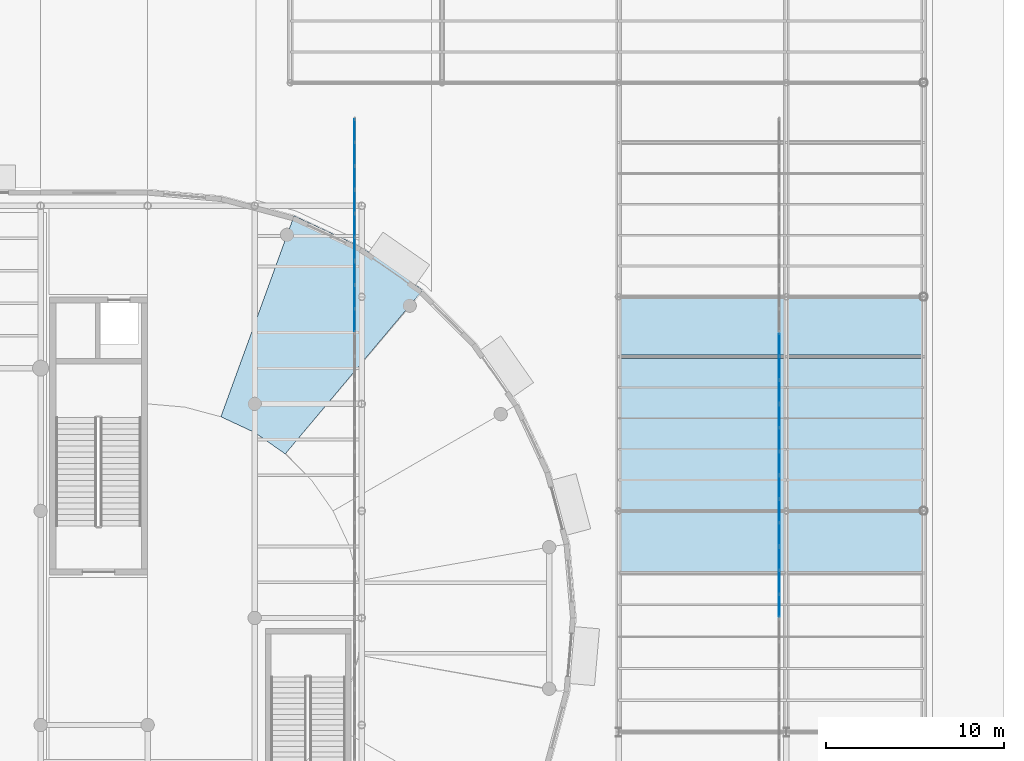
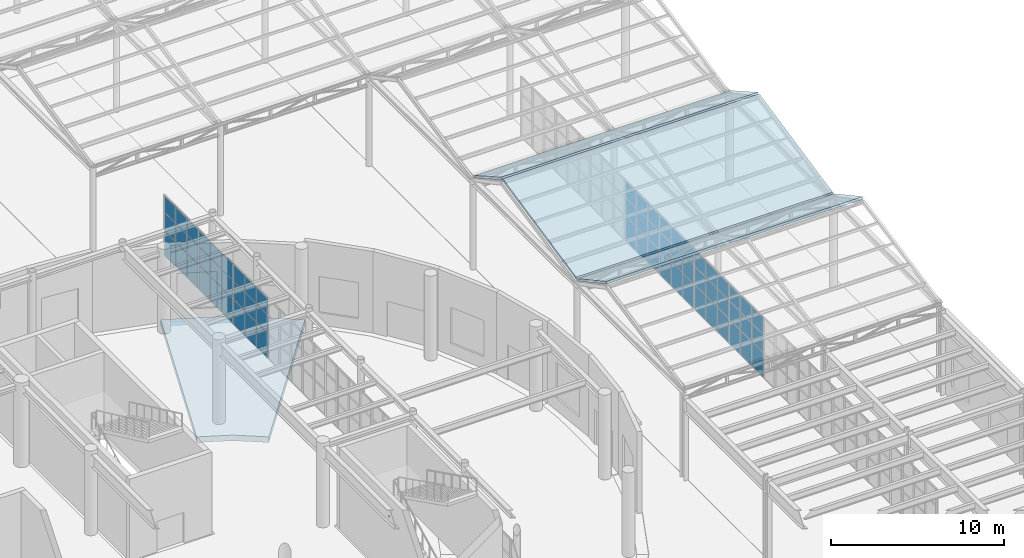
# One storey, part 81 of 118: 63 plates, 4 slabs, 7 elements without a shape of their own.
"""IFC4 building model written with IfcOpenShell, lengths in metres."""

from ifc_helpers import new_model, si_unit, direction, frame, origin, origin_2d, place, context, subcontext, project, spatial, polyline, rectangle, outline, extrude, material, layer, layer_set, type_object, element, aggregate, save


model = new_model("IFC4")

# Units and contexts
model_context = context("Model", 3, precision=1e-05, world=origin(), true_north=direction((0.0, 1.0)))
body_context = subcontext(model_context, "Body", "Model", "MODEL_VIEW")
ifc_project = project(units=[si_unit("LENGTHUNIT", "METRE"), si_unit("AREAUNIT", "SQUARE_METRE"), si_unit("VOLUMEUNIT", "CUBIC_METRE"), si_unit("PLANEANGLEUNIT", "RADIAN"), si_unit("MASSUNIT", "GRAM", prefix="KILO")], contexts=[model_context])

# Site, building, storey
site_placement = place(None, origin())
site = spatial("IfcSite", under=ifc_project, at=site_placement, CompositionType="ELEMENT")
building_placement = place(site_placement, origin())
building = spatial("IfcBuilding", under=site, at=building_placement, Name="Kolvaren Corner Interchange", CompositionType="ELEMENT")
storey_placement = place(building_placement, origin())
storey = spatial("IfcBuildingStorey", under=building, at=storey_placement, Name="L01", CompositionType="ELEMENT", Elevation=0.0)

# Curtain wall, plates
ifc_material_1 = material(Name="Unitised Aluminium and Solar-Control Glass Curtain Wall", Category="aluminium")
curtain_wall_type = type_object("IfcCurtainWallType", Name="CW-V4-BOARD", PredefinedType="NOTDEFINED", material=ifc_material_1)
curtain_wall_1_placement = place(storey_placement, origin())
curtain_wall_1 = element("IfcCurtainWall", 1, at=curtain_wall_1_placement, inside=storey, type_object=curtain_wall_type, Name="Bus Island West Boarding Curtain Wall Bay 10", PredefinedType="NOTDEFINED")
ifc_material_2 = material(Name="Low-E Solar-Control Laminated Glass", Category="glass")
ifc_layer_1 = layer(ifc_material_2, 0.035888671875)
ifc_layer_set_1 = layer_set([ifc_layer_1], Name="Low-E Solar-Control Laminated Glass")
plate_type = type_object("IfcPlateType", Name="PLT-CW-GL32", PredefinedType="CURTAIN_PANEL", material=ifc_layer_set_1)
plate_1_placement = place(storey_placement, frame((131.60009765625, 64.681640625, 0.05517578125), z_axis=(0.0, 0.0, 1.0), x_axis=(0.0, 1.0, 0.0)))
plate_1 = element("IfcPlate", 2, at=plate_1_placement, type_object=plate_type, Name="CW-135 panel 1.1", PredefinedType="CURTAIN_PANEL", context=body_context, shape_type="SweptSolid", body=[
    extrude(rectangle(XDim=1.243408203125, YDim=0.035888671875, at=origin_2d()), origin(), (0.0, 0.0, 1.0), 1.717529296875),
])
plate_2_placement = place(storey_placement, frame((131.60009765625, 64.681640625, 1.827392578125), z_axis=(0.0, 0.0, 1.0), x_axis=(0.0, 1.0, 0.0)))
plate_2 = element("IfcPlate", 3, at=plate_2_placement, type_object=plate_type, Name="CW-135 panel 1.2", PredefinedType="CURTAIN_PANEL", context=body_context, shape_type="SweptSolid", body=[
    extrude(rectangle(XDim=1.243408203125, YDim=0.035888671875, at=origin_2d()), origin(), (0.0, 0.0, 1.0), 1.2451171875),
])
plate_3_placement = place(storey_placement, frame((131.60009765625, 64.681640625, 3.12744140625), z_axis=(0.0, 0.0, 1.0), x_axis=(0.0, 1.0, 0.0)))
plate_3 = element("IfcPlate", 4, at=plate_3_placement, type_object=plate_type, Name="CW-135 panel 1.3", PredefinedType="CURTAIN_PANEL", context=body_context, shape_type="SweptSolid", body=[
    extrude(rectangle(XDim=1.243408203125, YDim=0.035888671875, at=origin_2d()), origin(), (0.0, 0.0, 1.0), 1.117431640625),
])
plate_4_placement = place(storey_placement, frame((131.60009765625, 66.0, 0.05517578125), z_axis=(0.0, 0.0, 1.0), x_axis=(0.0, 1.0, 0.0)))
plate_4 = element("IfcPlate", 5, at=plate_4_placement, type_object=plate_type, Name="CW-135 panel 2.1", PredefinedType="CURTAIN_PANEL", context=body_context, shape_type="SweptSolid", body=[
    extrude(rectangle(XDim=1.2734375, YDim=0.035888671875, at=origin_2d()), origin(), (0.0, 0.0, 1.0), 1.717529296875),
])
plate_5_placement = place(storey_placement, frame((131.60009765625, 66.0, 1.827392578125), z_axis=(0.0, 0.0, 1.0), x_axis=(0.0, 1.0, 0.0)))
plate_5 = element("IfcPlate", 6, at=plate_5_placement, type_object=plate_type, Name="CW-135 panel 2.2", PredefinedType="CURTAIN_PANEL", context=body_context, shape_type="SweptSolid", body=[
    extrude(rectangle(XDim=1.2734375, YDim=0.035888671875, at=origin_2d()), origin(), (0.0, 0.0, 1.0), 1.2451171875),
])
plate_6_placement = place(storey_placement, frame((131.60009765625, 66.0, 3.12744140625), z_axis=(0.0, 0.0, 1.0), x_axis=(0.0, 1.0, 0.0)))
plate_6 = element("IfcPlate", 7, at=plate_6_placement, type_object=plate_type, Name="CW-135 panel 2.3", PredefinedType="CURTAIN_PANEL", context=body_context, shape_type="SweptSolid", body=[
    extrude(rectangle(XDim=1.2734375, YDim=0.035888671875, at=origin_2d()), origin(), (0.0, 0.0, 1.0), 1.117431640625),
])
plate_7_placement = place(storey_placement, frame((131.60009765625, 67.318359375, 0.05517578125), z_axis=(0.0, 0.0, 1.0), x_axis=(0.0, 1.0, 0.0)))
plate_7 = element("IfcPlate", 8, at=plate_7_placement, type_object=plate_type, Name="CW-135 panel 3.1", PredefinedType="CURTAIN_PANEL", context=body_context, shape_type="SweptSolid", body=[
    extrude(rectangle(XDim=1.243408203125, YDim=0.035888671875, at=origin_2d()), origin(), (0.0, 0.0, 1.0), 1.717529296875),
])
plate_8_placement = place(storey_placement, frame((131.60009765625, 67.318359375, 1.827392578125), z_axis=(0.0, 0.0, 1.0), x_axis=(0.0, 1.0, 0.0)))
plate_8 = element("IfcPlate", 9, at=plate_8_placement, type_object=plate_type, Name="CW-135 panel 3.2", PredefinedType="CURTAIN_PANEL", context=body_context, shape_type="SweptSolid", body=[
    extrude(rectangle(XDim=1.243408203125, YDim=0.035888671875, at=origin_2d()), origin(), (0.0, 0.0, 1.0), 1.2451171875),
])
plate_9_placement = place(storey_placement, frame((131.60009765625, 67.318359375, 3.12744140625), z_axis=(0.0, 0.0, 1.0), x_axis=(0.0, 1.0, 0.0)))
plate_9 = element("IfcPlate", 10, at=plate_9_placement, type_object=plate_type, Name="CW-135 panel 3.3", PredefinedType="CURTAIN_PANEL", context=body_context, shape_type="SweptSolid", body=[
    extrude(rectangle(XDim=1.243408203125, YDim=0.035888671875, at=origin_2d()), origin(), (0.0, 0.0, 1.0), 1.117431640625),
])
aggregate(curtain_wall_1, [plate_1, plate_2, plate_3, plate_4, plate_5, plate_6, plate_7, plate_8, plate_9])

curtain_wall_2_placement = place(storey_placement, origin())
curtain_wall_2 = element("IfcCurtainWall", 11, at=curtain_wall_2_placement, inside=storey, type_object=curtain_wall_type, Name="Bus Island West Boarding Curtain Wall Bay 11", PredefinedType="NOTDEFINED")
plate_10_placement = place(storey_placement, frame((131.60009765625, 68.681640625, 0.05517578125), z_axis=(0.0, 0.0, 1.0), x_axis=(0.0, 1.0, 0.0)))
plate_10 = element("IfcPlate", 12, at=plate_10_placement, type_object=plate_type, Name="CW-136 panel 1.1", PredefinedType="CURTAIN_PANEL", context=body_context, shape_type="SweptSolid", body=[
    extrude(rectangle(XDim=1.243408203125, YDim=0.035888671875, at=origin_2d()), origin(), (0.0, 0.0, 1.0), 1.717529296875),
])
plate_11_placement = place(storey_placement, frame((131.60009765625, 68.681640625, 1.827392578125), z_axis=(0.0, 0.0, 1.0), x_axis=(0.0, 1.0, 0.0)))
plate_11 = element("IfcPlate", 13, at=plate_11_placement, type_object=plate_type, Name="CW-136 panel 1.2", PredefinedType="CURTAIN_PANEL", context=body_context, shape_type="SweptSolid", body=[
    extrude(rectangle(XDim=1.243408203125, YDim=0.035888671875, at=origin_2d()), origin(), (0.0, 0.0, 1.0), 1.2451171875),
])
plate_12_placement = place(storey_placement, frame((131.60009765625, 68.681640625, 3.12744140625), z_axis=(0.0, 0.0, 1.0), x_axis=(0.0, 1.0, 0.0)))
plate_12 = element("IfcPlate", 14, at=plate_12_placement, type_object=plate_type, Name="CW-136 panel 1.3", PredefinedType="CURTAIN_PANEL", context=body_context, shape_type="SweptSolid", body=[
    extrude(rectangle(XDim=1.243408203125, YDim=0.035888671875, at=origin_2d()), origin(), (0.0, 0.0, 1.0), 1.117431640625),
])
plate_13_placement = place(storey_placement, frame((131.60009765625, 70.0, 0.05517578125), z_axis=(0.0, 0.0, 1.0), x_axis=(0.0, 1.0, 0.0)))
plate_13 = element("IfcPlate", 15, at=plate_13_placement, type_object=plate_type, Name="CW-136 panel 2.1", PredefinedType="CURTAIN_PANEL", context=body_context, shape_type="SweptSolid", body=[
    extrude(rectangle(XDim=1.2734375, YDim=0.035888671875, at=origin_2d()), origin(), (0.0, 0.0, 1.0), 1.717529296875),
])
plate_14_placement = place(storey_placement, frame((131.60009765625, 70.0, 1.827392578125), z_axis=(0.0, 0.0, 1.0), x_axis=(0.0, 1.0, 0.0)))
plate_14 = element("IfcPlate", 16, at=plate_14_placement, type_object=plate_type, Name="CW-136 panel 2.2", PredefinedType="CURTAIN_PANEL", context=body_context, shape_type="SweptSolid", body=[
    extrude(rectangle(XDim=1.2734375, YDim=0.035888671875, at=origin_2d()), origin(), (0.0, 0.0, 1.0), 1.2451171875),
])
plate_15_placement = place(storey_placement, frame((131.60009765625, 70.0, 3.12744140625), z_axis=(0.0, 0.0, 1.0), x_axis=(0.0, 1.0, 0.0)))
plate_15 = element("IfcPlate", 17, at=plate_15_placement, type_object=plate_type, Name="CW-136 panel 2.3", PredefinedType="CURTAIN_PANEL", context=body_context, shape_type="SweptSolid", body=[
    extrude(rectangle(XDim=1.2734375, YDim=0.035888671875, at=origin_2d()), origin(), (0.0, 0.0, 1.0), 1.117431640625),
])
plate_16_placement = place(storey_placement, frame((131.60009765625, 71.318359375, 0.05517578125), z_axis=(0.0, 0.0, 1.0), x_axis=(0.0, 1.0, 0.0)))
plate_16 = element("IfcPlate", 18, at=plate_16_placement, type_object=plate_type, Name="CW-136 panel 3.1", PredefinedType="CURTAIN_PANEL", context=body_context, shape_type="SweptSolid", body=[
    extrude(rectangle(XDim=1.243408203125, YDim=0.035888671875, at=origin_2d()), origin(), (0.0, 0.0, 1.0), 1.717529296875),
])
plate_17_placement = place(storey_placement, frame((131.60009765625, 71.318359375, 1.827392578125), z_axis=(0.0, 0.0, 1.0), x_axis=(0.0, 1.0, 0.0)))
plate_17 = element("IfcPlate", 19, at=plate_17_placement, type_object=plate_type, Name="CW-136 panel 3.2", PredefinedType="CURTAIN_PANEL", context=body_context, shape_type="SweptSolid", body=[
    extrude(rectangle(XDim=1.243408203125, YDim=0.035888671875, at=origin_2d()), origin(), (0.0, 0.0, 1.0), 1.2451171875),
])
plate_18_placement = place(storey_placement, frame((131.60009765625, 71.318359375, 3.12744140625), z_axis=(0.0, 0.0, 1.0), x_axis=(0.0, 1.0, 0.0)))
plate_18 = element("IfcPlate", 20, at=plate_18_placement, type_object=plate_type, Name="CW-136 panel 3.3", PredefinedType="CURTAIN_PANEL", context=body_context, shape_type="SweptSolid", body=[
    extrude(rectangle(XDim=1.243408203125, YDim=0.035888671875, at=origin_2d()), origin(), (0.0, 0.0, 1.0), 1.117431640625),
])
aggregate(curtain_wall_2, [plate_10, plate_11, plate_12, plate_13, plate_14, plate_15, plate_16, plate_17, plate_18])

curtain_wall_3_placement = place(storey_placement, origin())
curtain_wall_3 = element("IfcCurtainWall", 21, at=curtain_wall_3_placement, inside=storey, type_object=curtain_wall_type, Name="Bus Island West Boarding Curtain Wall Bay 12", PredefinedType="NOTDEFINED")
plate_19_placement = place(storey_placement, frame((131.60009765625, 72.681640625, 0.05517578125), z_axis=(0.0, 0.0, 1.0), x_axis=(0.0, 1.0, 0.0)))
plate_19 = element("IfcPlate", 22, at=plate_19_placement, type_object=plate_type, Name="CW-137 panel 1.1", PredefinedType="CURTAIN_PANEL", context=body_context, shape_type="SweptSolid", body=[
    extrude(rectangle(XDim=1.243408203125, YDim=0.035888671875, at=origin_2d()), origin(), (0.0, 0.0, 1.0), 1.717529296875),
])
plate_20_placement = place(storey_placement, frame((131.60009765625, 72.681640625, 1.827392578125), z_axis=(0.0, 0.0, 1.0), x_axis=(0.0, 1.0, 0.0)))
plate_20 = element("IfcPlate", 23, at=plate_20_placement, type_object=plate_type, Name="CW-137 panel 1.2", PredefinedType="CURTAIN_PANEL", context=body_context, shape_type="SweptSolid", body=[
    extrude(rectangle(XDim=1.243408203125, YDim=0.035888671875, at=origin_2d()), origin(), (0.0, 0.0, 1.0), 1.2451171875),
])
plate_21_placement = place(storey_placement, frame((131.60009765625, 72.681640625, 3.12744140625), z_axis=(0.0, 0.0, 1.0), x_axis=(0.0, 1.0, 0.0)))
plate_21 = element("IfcPlate", 24, at=plate_21_placement, type_object=plate_type, Name="CW-137 panel 1.3", PredefinedType="CURTAIN_PANEL", context=body_context, shape_type="SweptSolid", body=[
    extrude(rectangle(XDim=1.243408203125, YDim=0.035888671875, at=origin_2d()), origin(), (0.0, 0.0, 1.0), 1.117431640625),
])
plate_22_placement = place(storey_placement, frame((131.60009765625, 74.0, 0.05517578125), z_axis=(0.0, 0.0, 1.0), x_axis=(0.0, 1.0, 0.0)))
plate_22 = element("IfcPlate", 25, at=plate_22_placement, type_object=plate_type, Name="CW-137 panel 2.1", PredefinedType="CURTAIN_PANEL", context=body_context, shape_type="SweptSolid", body=[
    extrude(rectangle(XDim=1.2734375, YDim=0.035888671875, at=origin_2d()), origin(), (0.0, 0.0, 1.0), 1.717529296875),
])
plate_23_placement = place(storey_placement, frame((131.60009765625, 74.0, 1.827392578125), z_axis=(0.0, 0.0, 1.0), x_axis=(0.0, 1.0, 0.0)))
plate_23 = element("IfcPlate", 26, at=plate_23_placement, type_object=plate_type, Name="CW-137 panel 2.2", PredefinedType="CURTAIN_PANEL", context=body_context, shape_type="SweptSolid", body=[
    extrude(rectangle(XDim=1.2734375, YDim=0.035888671875, at=origin_2d()), origin(), (0.0, 0.0, 1.0), 1.2451171875),
])
plate_24_placement = place(storey_placement, frame((131.60009765625, 74.0, 3.12744140625), z_axis=(0.0, 0.0, 1.0), x_axis=(0.0, 1.0, 0.0)))
plate_24 = element("IfcPlate", 27, at=plate_24_placement, type_object=plate_type, Name="CW-137 panel 2.3", PredefinedType="CURTAIN_PANEL", context=body_context, shape_type="SweptSolid", body=[
    extrude(rectangle(XDim=1.2734375, YDim=0.035888671875, at=origin_2d()), origin(), (0.0, 0.0, 1.0), 1.117431640625),
])
plate_25_placement = place(storey_placement, frame((131.60009765625, 75.318359375, 0.05517578125), z_axis=(0.0, 0.0, 1.0), x_axis=(0.0, 1.0, 0.0)))
plate_25 = element("IfcPlate", 28, at=plate_25_placement, type_object=plate_type, Name="CW-137 panel 3.1", PredefinedType="CURTAIN_PANEL", context=body_context, shape_type="SweptSolid", body=[
    extrude(rectangle(XDim=1.243408203125, YDim=0.035888671875, at=origin_2d()), origin(), (0.0, 0.0, 1.0), 1.717529296875),
])
plate_26_placement = place(storey_placement, frame((131.60009765625, 75.318359375, 1.827392578125), z_axis=(0.0, 0.0, 1.0), x_axis=(0.0, 1.0, 0.0)))
plate_26 = element("IfcPlate", 29, at=plate_26_placement, type_object=plate_type, Name="CW-137 panel 3.2", PredefinedType="CURTAIN_PANEL", context=body_context, shape_type="SweptSolid", body=[
    extrude(rectangle(XDim=1.243408203125, YDim=0.035888671875, at=origin_2d()), origin(), (0.0, 0.0, 1.0), 1.2451171875),
])
plate_27_placement = place(storey_placement, frame((131.60009765625, 75.318359375, 3.12744140625), z_axis=(0.0, 0.0, 1.0), x_axis=(0.0, 1.0, 0.0)))
plate_27 = element("IfcPlate", 30, at=plate_27_placement, type_object=plate_type, Name="CW-137 panel 3.3", PredefinedType="CURTAIN_PANEL", context=body_context, shape_type="SweptSolid", body=[
    extrude(rectangle(XDim=1.243408203125, YDim=0.035888671875, at=origin_2d()), origin(), (0.0, 0.0, 1.0), 1.117431640625),
])
aggregate(curtain_wall_3, [plate_19, plate_20, plate_21, plate_22, plate_23, plate_24, plate_25, plate_26, plate_27])

curtain_wall_4_placement = place(storey_placement, origin())
curtain_wall_4 = element("IfcCurtainWall", 31, at=curtain_wall_4_placement, inside=storey, type_object=curtain_wall_type, Name="Bus Island East Boarding Curtain Wall Bay 06", PredefinedType="NOTDEFINED")
plate_28_placement = place(storey_placement, frame((155.39990234375, 48.681640625, 0.05517578125), z_axis=(0.0, 0.0, 1.0), x_axis=(0.0, 1.0, 0.0)))
plate_28 = element("IfcPlate", 32, at=plate_28_placement, type_object=plate_type, Name="CW-143 panel 1.1", PredefinedType="CURTAIN_PANEL", context=body_context, shape_type="SweptSolid", body=[
    extrude(rectangle(XDim=1.243408203125, YDim=0.035888671875, at=origin_2d()), origin(), (0.0, 0.0, 1.0), 1.717529296875),
])
plate_29_placement = place(storey_placement, frame((155.39990234375, 48.681640625, 1.827392578125), z_axis=(0.0, 0.0, 1.0), x_axis=(0.0, 1.0, 0.0)))
plate_29 = element("IfcPlate", 33, at=plate_29_placement, type_object=plate_type, Name="CW-143 panel 1.2", PredefinedType="CURTAIN_PANEL", context=body_context, shape_type="SweptSolid", body=[
    extrude(rectangle(XDim=1.243408203125, YDim=0.035888671875, at=origin_2d()), origin(), (0.0, 0.0, 1.0), 1.2451171875),
])
plate_30_placement = place(storey_placement, frame((155.39990234375, 48.681640625, 3.12744140625), z_axis=(0.0, 0.0, 1.0), x_axis=(0.0, 1.0, 0.0)))
plate_30 = element("IfcPlate", 34, at=plate_30_placement, type_object=plate_type, Name="CW-143 panel 1.3", PredefinedType="CURTAIN_PANEL", context=body_context, shape_type="SweptSolid", body=[
    extrude(rectangle(XDim=1.243408203125, YDim=0.035888671875, at=origin_2d()), origin(), (0.0, 0.0, 1.0), 1.117431640625),
])
plate_31_placement = place(storey_placement, frame((155.39990234375, 50.0, 0.05517578125), z_axis=(0.0, 0.0, 1.0), x_axis=(0.0, 1.0, 0.0)))
plate_31 = element("IfcPlate", 35, at=plate_31_placement, type_object=plate_type, Name="CW-143 panel 2.1", PredefinedType="CURTAIN_PANEL", context=body_context, shape_type="SweptSolid", body=[
    extrude(rectangle(XDim=1.2734375, YDim=0.035888671875, at=origin_2d()), origin(), (0.0, 0.0, 1.0), 1.717529296875),
])
plate_32_placement = place(storey_placement, frame((155.39990234375, 50.0, 1.827392578125), z_axis=(0.0, 0.0, 1.0), x_axis=(0.0, 1.0, 0.0)))
plate_32 = element("IfcPlate", 36, at=plate_32_placement, type_object=plate_type, Name="CW-143 panel 2.2", PredefinedType="CURTAIN_PANEL", context=body_context, shape_type="SweptSolid", body=[
    extrude(rectangle(XDim=1.2734375, YDim=0.035888671875, at=origin_2d()), origin(), (0.0, 0.0, 1.0), 1.2451171875),
])
plate_33_placement = place(storey_placement, frame((155.39990234375, 50.0, 3.12744140625), z_axis=(0.0, 0.0, 1.0), x_axis=(0.0, 1.0, 0.0)))
plate_33 = element("IfcPlate", 37, at=plate_33_placement, type_object=plate_type, Name="CW-143 panel 2.3", PredefinedType="CURTAIN_PANEL", context=body_context, shape_type="SweptSolid", body=[
    extrude(rectangle(XDim=1.2734375, YDim=0.035888671875, at=origin_2d()), origin(), (0.0, 0.0, 1.0), 1.117431640625),
])
plate_34_placement = place(storey_placement, frame((155.39990234375, 51.318359375, 0.05517578125), z_axis=(0.0, 0.0, 1.0), x_axis=(0.0, 1.0, 0.0)))
plate_34 = element("IfcPlate", 38, at=plate_34_placement, type_object=plate_type, Name="CW-143 panel 3.1", PredefinedType="CURTAIN_PANEL", context=body_context, shape_type="SweptSolid", body=[
    extrude(rectangle(XDim=1.243408203125, YDim=0.035888671875, at=origin_2d()), origin(), (0.0, 0.0, 1.0), 1.717529296875),
])
plate_35_placement = place(storey_placement, frame((155.39990234375, 51.318359375, 1.827392578125), z_axis=(0.0, 0.0, 1.0), x_axis=(0.0, 1.0, 0.0)))
plate_35 = element("IfcPlate", 39, at=plate_35_placement, type_object=plate_type, Name="CW-143 panel 3.2", PredefinedType="CURTAIN_PANEL", context=body_context, shape_type="SweptSolid", body=[
    extrude(rectangle(XDim=1.243408203125, YDim=0.035888671875, at=origin_2d()), origin(), (0.0, 0.0, 1.0), 1.2451171875),
])
plate_36_placement = place(storey_placement, frame((155.39990234375, 51.318359375, 3.12744140625), z_axis=(0.0, 0.0, 1.0), x_axis=(0.0, 1.0, 0.0)))
plate_36 = element("IfcPlate", 40, at=plate_36_placement, type_object=plate_type, Name="CW-143 panel 3.3", PredefinedType="CURTAIN_PANEL", context=body_context, shape_type="SweptSolid", body=[
    extrude(rectangle(XDim=1.243408203125, YDim=0.035888671875, at=origin_2d()), origin(), (0.0, 0.0, 1.0), 1.117431640625),
])
aggregate(curtain_wall_4, [plate_28, plate_29, plate_30, plate_31, plate_32, plate_33, plate_34, plate_35, plate_36])

curtain_wall_5_placement = place(storey_placement, origin())
curtain_wall_5 = element("IfcCurtainWall", 41, at=curtain_wall_5_placement, inside=storey, type_object=curtain_wall_type, Name="Bus Island East Boarding Curtain Wall Bay 07", PredefinedType="NOTDEFINED")
plate_37_placement = place(storey_placement, frame((155.39990234375, 52.681640625, 0.05517578125), z_axis=(0.0, 0.0, 1.0), x_axis=(0.0, 1.0, 0.0)))
plate_37 = element("IfcPlate", 42, at=plate_37_placement, type_object=plate_type, Name="CW-144 panel 1.1", PredefinedType="CURTAIN_PANEL", context=body_context, shape_type="SweptSolid", body=[
    extrude(rectangle(XDim=1.243408203125, YDim=0.035888671875, at=origin_2d()), origin(), (0.0, 0.0, 1.0), 1.717529296875),
])
plate_38_placement = place(storey_placement, frame((155.39990234375, 52.681640625, 1.827392578125), z_axis=(0.0, 0.0, 1.0), x_axis=(0.0, 1.0, 0.0)))
plate_38 = element("IfcPlate", 43, at=plate_38_placement, type_object=plate_type, Name="CW-144 panel 1.2", PredefinedType="CURTAIN_PANEL", context=body_context, shape_type="SweptSolid", body=[
    extrude(rectangle(XDim=1.243408203125, YDim=0.035888671875, at=origin_2d()), origin(), (0.0, 0.0, 1.0), 1.2451171875),
])
plate_39_placement = place(storey_placement, frame((155.39990234375, 52.681640625, 3.12744140625), z_axis=(0.0, 0.0, 1.0), x_axis=(0.0, 1.0, 0.0)))
plate_39 = element("IfcPlate", 44, at=plate_39_placement, type_object=plate_type, Name="CW-144 panel 1.3", PredefinedType="CURTAIN_PANEL", context=body_context, shape_type="SweptSolid", body=[
    extrude(rectangle(XDim=1.243408203125, YDim=0.035888671875, at=origin_2d()), origin(), (0.0, 0.0, 1.0), 1.117431640625),
])
plate_40_placement = place(storey_placement, frame((155.39990234375, 54.0, 0.05517578125), z_axis=(0.0, 0.0, 1.0), x_axis=(0.0, 1.0, 0.0)))
plate_40 = element("IfcPlate", 45, at=plate_40_placement, type_object=plate_type, Name="CW-144 panel 2.1", PredefinedType="CURTAIN_PANEL", context=body_context, shape_type="SweptSolid", body=[
    extrude(rectangle(XDim=1.2734375, YDim=0.035888671875, at=origin_2d()), origin(), (0.0, 0.0, 1.0), 1.717529296875),
])
plate_41_placement = place(storey_placement, frame((155.39990234375, 54.0, 1.827392578125), z_axis=(0.0, 0.0, 1.0), x_axis=(0.0, 1.0, 0.0)))
plate_41 = element("IfcPlate", 46, at=plate_41_placement, type_object=plate_type, Name="CW-144 panel 2.2", PredefinedType="CURTAIN_PANEL", context=body_context, shape_type="SweptSolid", body=[
    extrude(rectangle(XDim=1.2734375, YDim=0.035888671875, at=origin_2d()), origin(), (0.0, 0.0, 1.0), 1.2451171875),
])
plate_42_placement = place(storey_placement, frame((155.39990234375, 54.0, 3.12744140625), z_axis=(0.0, 0.0, 1.0), x_axis=(0.0, 1.0, 0.0)))
plate_42 = element("IfcPlate", 47, at=plate_42_placement, type_object=plate_type, Name="CW-144 panel 2.3", PredefinedType="CURTAIN_PANEL", context=body_context, shape_type="SweptSolid", body=[
    extrude(rectangle(XDim=1.2734375, YDim=0.035888671875, at=origin_2d()), origin(), (0.0, 0.0, 1.0), 1.117431640625),
])
plate_43_placement = place(storey_placement, frame((155.39990234375, 55.318359375, 0.05517578125), z_axis=(0.0, 0.0, 1.0), x_axis=(0.0, 1.0, 0.0)))
plate_43 = element("IfcPlate", 48, at=plate_43_placement, type_object=plate_type, Name="CW-144 panel 3.1", PredefinedType="CURTAIN_PANEL", context=body_context, shape_type="SweptSolid", body=[
    extrude(rectangle(XDim=1.243408203125, YDim=0.035888671875, at=origin_2d()), origin(), (0.0, 0.0, 1.0), 1.717529296875),
])
plate_44_placement = place(storey_placement, frame((155.39990234375, 55.318359375, 1.827392578125), z_axis=(0.0, 0.0, 1.0), x_axis=(0.0, 1.0, 0.0)))
plate_44 = element("IfcPlate", 49, at=plate_44_placement, type_object=plate_type, Name="CW-144 panel 3.2", PredefinedType="CURTAIN_PANEL", context=body_context, shape_type="SweptSolid", body=[
    extrude(rectangle(XDim=1.243408203125, YDim=0.035888671875, at=origin_2d()), origin(), (0.0, 0.0, 1.0), 1.2451171875),
])
plate_45_placement = place(storey_placement, frame((155.39990234375, 55.318359375, 3.12744140625), z_axis=(0.0, 0.0, 1.0), x_axis=(0.0, 1.0, 0.0)))
plate_45 = element("IfcPlate", 50, at=plate_45_placement, type_object=plate_type, Name="CW-144 panel 3.3", PredefinedType="CURTAIN_PANEL", context=body_context, shape_type="SweptSolid", body=[
    extrude(rectangle(XDim=1.243408203125, YDim=0.035888671875, at=origin_2d()), origin(), (0.0, 0.0, 1.0), 1.117431640625),
])
aggregate(curtain_wall_5, [plate_37, plate_38, plate_39, plate_40, plate_41, plate_42, plate_43, plate_44, plate_45])

curtain_wall_6_placement = place(storey_placement, origin())
curtain_wall_6 = element("IfcCurtainWall", 51, at=curtain_wall_6_placement, inside=storey, type_object=curtain_wall_type, Name="Bus Island East Boarding Curtain Wall Bay 08", PredefinedType="NOTDEFINED")
plate_46_placement = place(storey_placement, frame((155.39990234375, 56.681640625, 0.05517578125), z_axis=(0.0, 0.0, 1.0), x_axis=(0.0, 1.0, 0.0)))
plate_46 = element("IfcPlate", 52, at=plate_46_placement, type_object=plate_type, Name="CW-145 panel 1.1", PredefinedType="CURTAIN_PANEL", context=body_context, shape_type="SweptSolid", body=[
    extrude(rectangle(XDim=1.243408203125, YDim=0.035888671875, at=origin_2d()), origin(), (0.0, 0.0, 1.0), 1.717529296875),
])
plate_47_placement = place(storey_placement, frame((155.39990234375, 56.681640625, 1.827392578125), z_axis=(0.0, 0.0, 1.0), x_axis=(0.0, 1.0, 0.0)))
plate_47 = element("IfcPlate", 53, at=plate_47_placement, type_object=plate_type, Name="CW-145 panel 1.2", PredefinedType="CURTAIN_PANEL", context=body_context, shape_type="SweptSolid", body=[
    extrude(rectangle(XDim=1.243408203125, YDim=0.035888671875, at=origin_2d()), origin(), (0.0, 0.0, 1.0), 1.2451171875),
])
plate_48_placement = place(storey_placement, frame((155.39990234375, 56.681640625, 3.12744140625), z_axis=(0.0, 0.0, 1.0), x_axis=(0.0, 1.0, 0.0)))
plate_48 = element("IfcPlate", 54, at=plate_48_placement, type_object=plate_type, Name="CW-145 panel 1.3", PredefinedType="CURTAIN_PANEL", context=body_context, shape_type="SweptSolid", body=[
    extrude(rectangle(XDim=1.243408203125, YDim=0.035888671875, at=origin_2d()), origin(), (0.0, 0.0, 1.0), 1.117431640625),
])
plate_49_placement = place(storey_placement, frame((155.39990234375, 58.0, 0.05517578125), z_axis=(0.0, 0.0, 1.0), x_axis=(0.0, 1.0, 0.0)))
plate_49 = element("IfcPlate", 55, at=plate_49_placement, type_object=plate_type, Name="CW-145 panel 2.1", PredefinedType="CURTAIN_PANEL", context=body_context, shape_type="SweptSolid", body=[
    extrude(rectangle(XDim=1.2734375, YDim=0.035888671875, at=origin_2d()), origin(), (0.0, 0.0, 1.0), 1.717529296875),
])
plate_50_placement = place(storey_placement, frame((155.39990234375, 58.0, 1.827392578125), z_axis=(0.0, 0.0, 1.0), x_axis=(0.0, 1.0, 0.0)))
plate_50 = element("IfcPlate", 56, at=plate_50_placement, type_object=plate_type, Name="CW-145 panel 2.2", PredefinedType="CURTAIN_PANEL", context=body_context, shape_type="SweptSolid", body=[
    extrude(rectangle(XDim=1.2734375, YDim=0.035888671875, at=origin_2d()), origin(), (0.0, 0.0, 1.0), 1.2451171875),
])
plate_51_placement = place(storey_placement, frame((155.39990234375, 58.0, 3.12744140625), z_axis=(0.0, 0.0, 1.0), x_axis=(0.0, 1.0, 0.0)))
plate_51 = element("IfcPlate", 57, at=plate_51_placement, type_object=plate_type, Name="CW-145 panel 2.3", PredefinedType="CURTAIN_PANEL", context=body_context, shape_type="SweptSolid", body=[
    extrude(rectangle(XDim=1.2734375, YDim=0.035888671875, at=origin_2d()), origin(), (0.0, 0.0, 1.0), 1.117431640625),
])
plate_52_placement = place(storey_placement, frame((155.39990234375, 59.318359375, 0.05517578125), z_axis=(0.0, 0.0, 1.0), x_axis=(0.0, 1.0, 0.0)))
plate_52 = element("IfcPlate", 58, at=plate_52_placement, type_object=plate_type, Name="CW-145 panel 3.1", PredefinedType="CURTAIN_PANEL", context=body_context, shape_type="SweptSolid", body=[
    extrude(rectangle(XDim=1.243408203125, YDim=0.035888671875, at=origin_2d()), origin(), (0.0, 0.0, 1.0), 1.717529296875),
])
plate_53_placement = place(storey_placement, frame((155.39990234375, 59.318359375, 1.827392578125), z_axis=(0.0, 0.0, 1.0), x_axis=(0.0, 1.0, 0.0)))
plate_53 = element("IfcPlate", 59, at=plate_53_placement, type_object=plate_type, Name="CW-145 panel 3.2", PredefinedType="CURTAIN_PANEL", context=body_context, shape_type="SweptSolid", body=[
    extrude(rectangle(XDim=1.243408203125, YDim=0.035888671875, at=origin_2d()), origin(), (0.0, 0.0, 1.0), 1.2451171875),
])
plate_54_placement = place(storey_placement, frame((155.39990234375, 59.318359375, 3.12744140625), z_axis=(0.0, 0.0, 1.0), x_axis=(0.0, 1.0, 0.0)))
plate_54 = element("IfcPlate", 60, at=plate_54_placement, type_object=plate_type, Name="CW-145 panel 3.3", PredefinedType="CURTAIN_PANEL", context=body_context, shape_type="SweptSolid", body=[
    extrude(rectangle(XDim=1.243408203125, YDim=0.035888671875, at=origin_2d()), origin(), (0.0, 0.0, 1.0), 1.117431640625),
])
aggregate(curtain_wall_6, [plate_46, plate_47, plate_48, plate_49, plate_50, plate_51, plate_52, plate_53, plate_54])

curtain_wall_7_placement = place(storey_placement, origin())
curtain_wall_7 = element("IfcCurtainWall", 61, at=curtain_wall_7_placement, inside=storey, type_object=curtain_wall_type, Name="Bus Island East Boarding Curtain Wall Bay 09", PredefinedType="NOTDEFINED")
plate_55_placement = place(storey_placement, frame((155.39990234375, 60.681640625, 0.05517578125), z_axis=(0.0, 0.0, 1.0), x_axis=(0.0, 1.0, 0.0)))
plate_55 = element("IfcPlate", 62, at=plate_55_placement, type_object=plate_type, Name="CW-146 panel 1.1", PredefinedType="CURTAIN_PANEL", context=body_context, shape_type="SweptSolid", body=[
    extrude(rectangle(XDim=1.243408203125, YDim=0.035888671875, at=origin_2d()), origin(), (0.0, 0.0, 1.0), 1.717529296875),
])
plate_56_placement = place(storey_placement, frame((155.39990234375, 60.681640625, 1.827392578125), z_axis=(0.0, 0.0, 1.0), x_axis=(0.0, 1.0, 0.0)))
plate_56 = element("IfcPlate", 63, at=plate_56_placement, type_object=plate_type, Name="CW-146 panel 1.2", PredefinedType="CURTAIN_PANEL", context=body_context, shape_type="SweptSolid", body=[
    extrude(rectangle(XDim=1.243408203125, YDim=0.035888671875, at=origin_2d()), origin(), (0.0, 0.0, 1.0), 1.2451171875),
])
plate_57_placement = place(storey_placement, frame((155.39990234375, 60.681640625, 3.12744140625), z_axis=(0.0, 0.0, 1.0), x_axis=(0.0, 1.0, 0.0)))
plate_57 = element("IfcPlate", 64, at=plate_57_placement, type_object=plate_type, Name="CW-146 panel 1.3", PredefinedType="CURTAIN_PANEL", context=body_context, shape_type="SweptSolid", body=[
    extrude(rectangle(XDim=1.243408203125, YDim=0.035888671875, at=origin_2d()), origin(), (0.0, 0.0, 1.0), 1.117431640625),
])
plate_58_placement = place(storey_placement, frame((155.39990234375, 62.0, 0.05517578125), z_axis=(0.0, 0.0, 1.0), x_axis=(0.0, 1.0, 0.0)))
plate_58 = element("IfcPlate", 65, at=plate_58_placement, type_object=plate_type, Name="CW-146 panel 2.1", PredefinedType="CURTAIN_PANEL", context=body_context, shape_type="SweptSolid", body=[
    extrude(rectangle(XDim=1.2734375, YDim=0.035888671875, at=origin_2d()), origin(), (0.0, 0.0, 1.0), 1.717529296875),
])
plate_59_placement = place(storey_placement, frame((155.39990234375, 62.0, 1.827392578125), z_axis=(0.0, 0.0, 1.0), x_axis=(0.0, 1.0, 0.0)))
plate_59 = element("IfcPlate", 66, at=plate_59_placement, type_object=plate_type, Name="CW-146 panel 2.2", PredefinedType="CURTAIN_PANEL", context=body_context, shape_type="SweptSolid", body=[
    extrude(rectangle(XDim=1.2734375, YDim=0.035888671875, at=origin_2d()), origin(), (0.0, 0.0, 1.0), 1.2451171875),
])
plate_60_placement = place(storey_placement, frame((155.39990234375, 62.0, 3.12744140625), z_axis=(0.0, 0.0, 1.0), x_axis=(0.0, 1.0, 0.0)))
plate_60 = element("IfcPlate", 67, at=plate_60_placement, type_object=plate_type, Name="CW-146 panel 2.3", PredefinedType="CURTAIN_PANEL", context=body_context, shape_type="SweptSolid", body=[
    extrude(rectangle(XDim=1.2734375, YDim=0.035888671875, at=origin_2d()), origin(), (0.0, 0.0, 1.0), 1.117431640625),
])
plate_61_placement = place(storey_placement, frame((155.39990234375, 63.318359375, 0.05517578125), z_axis=(0.0, 0.0, 1.0), x_axis=(0.0, 1.0, 0.0)))
plate_61 = element("IfcPlate", 68, at=plate_61_placement, type_object=plate_type, Name="CW-146 panel 3.1", PredefinedType="CURTAIN_PANEL", context=body_context, shape_type="SweptSolid", body=[
    extrude(rectangle(XDim=1.243408203125, YDim=0.035888671875, at=origin_2d()), origin(), (0.0, 0.0, 1.0), 1.717529296875),
])
plate_62_placement = place(storey_placement, frame((155.39990234375, 63.318359375, 1.827392578125), z_axis=(0.0, 0.0, 1.0), x_axis=(0.0, 1.0, 0.0)))
plate_62 = element("IfcPlate", 69, at=plate_62_placement, type_object=plate_type, Name="CW-146 panel 3.2", PredefinedType="CURTAIN_PANEL", context=body_context, shape_type="SweptSolid", body=[
    extrude(rectangle(XDim=1.243408203125, YDim=0.035888671875, at=origin_2d()), origin(), (0.0, 0.0, 1.0), 1.2451171875),
])
plate_63_placement = place(storey_placement, frame((155.39990234375, 63.318359375, 3.12744140625), z_axis=(0.0, 0.0, 1.0), x_axis=(0.0, 1.0, 0.0)))
plate_63 = element("IfcPlate", 70, at=plate_63_placement, type_object=plate_type, Name="CW-146 panel 3.3", PredefinedType="CURTAIN_PANEL", context=body_context, shape_type="SweptSolid", body=[
    extrude(rectangle(XDim=1.243408203125, YDim=0.035888671875, at=origin_2d()), origin(), (0.0, 0.0, 1.0), 1.117431640625),
])
aggregate(curtain_wall_7, [plate_55, plate_56, plate_57, plate_58, plate_59, plate_60, plate_61, plate_62, plate_63])

# Slabs
ifc_material_3 = material(Name="Acoustic Metal Deck Concrete C35/45", Category="concrete")
ifc_layer_2 = layer(ifc_material_3, 0.159912109375)
ifc_layer_set_2 = layer_set([ifc_layer_2], Name="Acoustic Metal Deck Concrete C35/45")
slab_type_1 = type_object("IfcSlabType", Name="SL-CANOPY-160", PredefinedType="ROOF", material=ifc_layer_set_2)
slab_1_placement = place(storey_placement, frame((146.39990234375, 50.617919921875, 8.39990234375), z_axis=(0.0, 0.479748225966, 0.877406199934), x_axis=(1.0, 0.0, 0.0)))
element("IfcSlab", 71, at=slab_1_placement, inside=storey, type_object=slab_type_1, Name="Bus Canopy Sawtooth North Return Roof Deck 01", PredefinedType="ROOF", context=body_context, shape_type="SweptSolid", body=[
    extrude(outline(polyline([(0.0, 0.0), (17.1, 0.0), (17.1, 3.75197), (0.0, 3.75197), (0.0, 0.0)])), origin(), (0.0, 0.0, -1.0), 0.159912109375),
])
slab_2_placement = place(storey_placement, frame((146.39990234375, 54.090087890625, 6.60009765625), z_axis=(0.0, -0.208107644465, 0.978105928985), x_axis=(1.0, 0.0, 0.0)))
element("IfcSlab", 72, at=slab_2_placement, inside=storey, type_object=slab_type_1, Name="Bus Canopy Sawtooth South Pitched Roof Deck 02", PredefinedType="ROOF", context=body_context, shape_type="SweptSolid", body=[
    extrude(outline(polyline([(0.0, 0.0), (17.1, 0.0), (17.1, 8.64937), (0.0, 8.64937), (0.0, 0.0)])), origin(), (0.0, 0.0, -1.0), 0.159912109375),
])
slab_3_placement = place(storey_placement, frame((146.39990234375, 62.72998046875, 8.39990234375), z_axis=(0.0, 0.492598219852, 0.870256855071), x_axis=(1.0, 0.0, 0.0)))
element("IfcSlab", 73, at=slab_3_placement, inside=storey, type_object=slab_type_1, Name="Bus Canopy Sawtooth North Return Roof Deck 02", PredefinedType="ROOF", context=body_context, shape_type="SweptSolid", body=[
    extrude(outline(polyline([(0.0, 0.0), (17.1, 0.0), (17.1, 3.65409), (0.0, 3.65409), (0.0, 0.0)])), origin(), (0.0, 0.0, -1.0), 0.159912109375),
])
ifc_material_4 = material(Name="Concrete C40/50", Category="concrete")
ifc_layer_3 = layer(ifc_material_4, 0.39990234375)
ifc_layer_set_3 = layer_set([ifc_layer_3], Name="Concrete C40/50")
slab_type_2 = type_object("IfcSlabType", Name="SL-TRANSFER-400", PredefinedType="FLOOR", material=ifc_layer_set_3)
slab_4_placement = place(storey_placement, frame((0.0, 0.0, -0.39990234375)))
element("IfcSlab", 74, at=slab_4_placement, inside=storey, type_object=slab_type_2, Name="Level 01 Racetrack East Radial Sector Slab 08", PredefinedType="FLOOR", context=body_context, shape_type="SweptSolid", body=[
    extrude(outline(polyline([(135.427001953125, 66.385009765625), (132.0, 68.78466796875), (128.20849609375, 70.552490234375), (124.104248046875, 59.2763671875), (126.0, 58.392333984375), (127.71337890625, 57.1923828125), (135.427001953125, 66.385009765625)])), origin(), (0.0, 0.0, 1.0), 0.39990234375),
])

save(model, "model.ifc")
